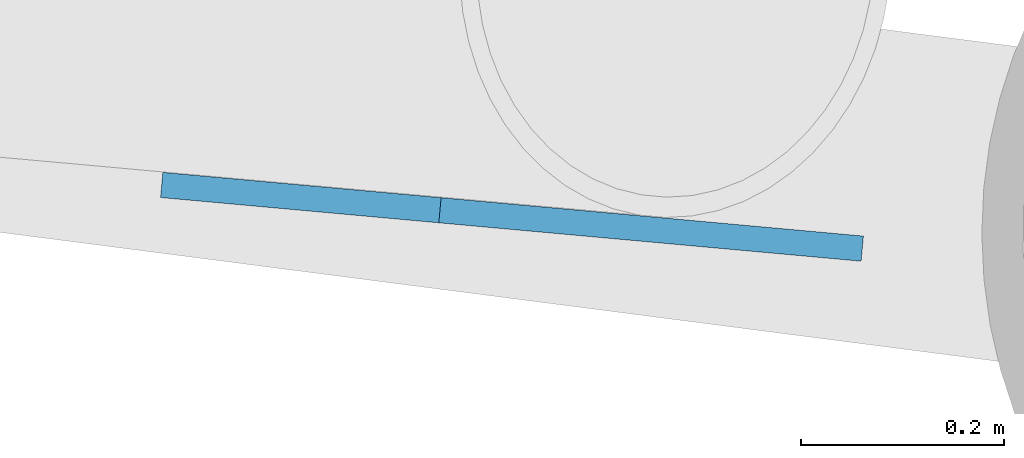
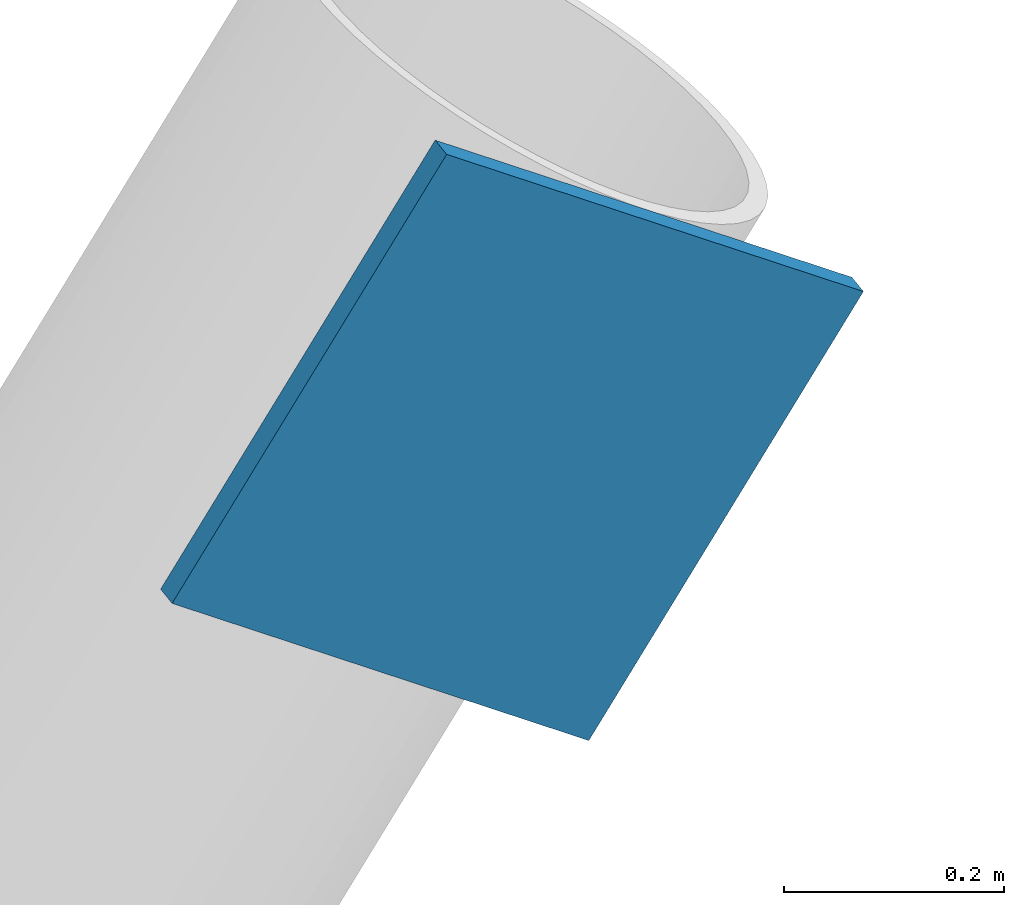
# One storey, part 14 of 22: 1 discrete accessory.
"""IFC4 building model written with IfcOpenShell, lengths in metres."""

from ifc_helpers import new_model, si_unit, direction, frame, origin, origin_2d, place, context, subcontext, project, spatial, rectangle, extrude, material, material_profile, profile_set, type_object, element, save


model = new_model("IFC4")

# Units and contexts
model_context = context("Model", 3, precision=1e-05, world=origin(), true_north=direction((0.0, 1.0)))
body_context = subcontext(model_context, "Body", "Model", "MODEL_VIEW")
ifc_project = project(units=[si_unit("LENGTHUNIT", "METRE"), si_unit("AREAUNIT", "SQUARE_METRE"), si_unit("VOLUMEUNIT", "CUBIC_METRE"), si_unit("PLANEANGLEUNIT", "RADIAN"), si_unit("MASSUNIT", "GRAM", prefix="KILO")], contexts=[model_context])

# Site, building, storey
site_placement = place(None, origin())
site = spatial("IfcSite", under=ifc_project, at=site_placement, CompositionType="ELEMENT")
building_placement = place(site_placement, origin())
building = spatial("IfcBuilding", under=site, at=building_placement, Name="Tarsis Ring Headquarters", CompositionType="ELEMENT")
storey_placement = place(building_placement, frame((0.0, 0.0, 263.0)))
storey = spatial("IfcBuildingStorey", under=building, at=storey_placement, Name="L61", CompositionType="ELEMENT", Elevation=263.0)

# Discrete accessory
ifc_material = material(Name="Structural steel S355", Category="steel")
ifc_material_profile = material_profile(ifc_material, rectangle(XDim=0.02490234375, YDim=0.5, at=origin_2d()), Name="PL 25x500")
ifc_profile_set = profile_set([ifc_material_profile], Name="Structural steel S355")
discrete_accessory_type = type_object("IfcDiscreteAccessoryType", Name="Gusset plate Exo brace 25", PredefinedType="BRACKET", material=ifc_profile_set)
discrete_accessory_placement = place(storey_placement, frame((8.729248046875, 27.432861328125, 7.800048828125), z_axis=(-0.54768803671, 0.049789821519, -0.835199849208), x_axis=(-0.090535746043, -0.995893206468, 0.0)))
element("IfcDiscreteAccessory", 1, at=discrete_accessory_placement, inside=storey, type_object=discrete_accessory_type, Name="Gusset plate GP5", PredefinedType="BRACKET", context=body_context, shape_type="SweptSolid", body=[
    extrude(rectangle(XDim=0.02490234375, YDim=0.5, at=origin_2d()), origin(), (0.0, 0.0, 1.0), 0.500244140625),
])

save(model, "model.ifc")
